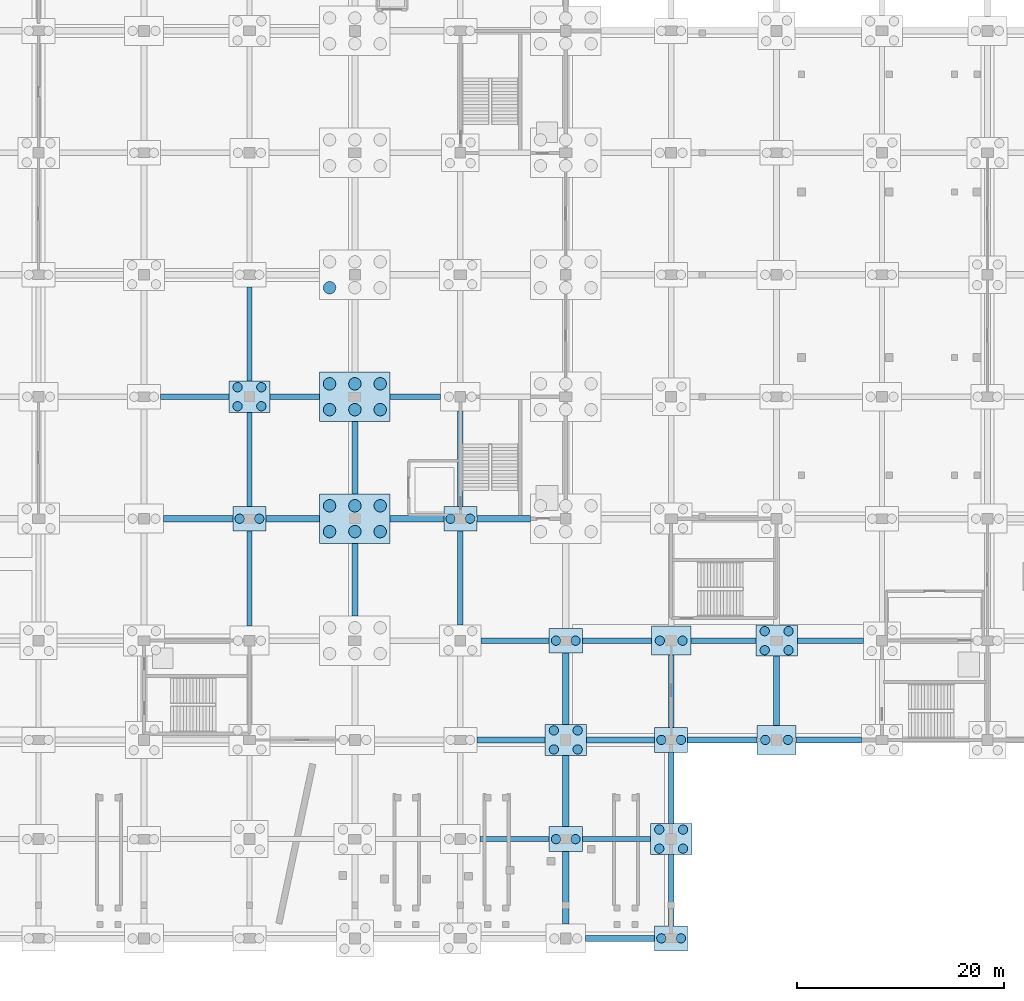
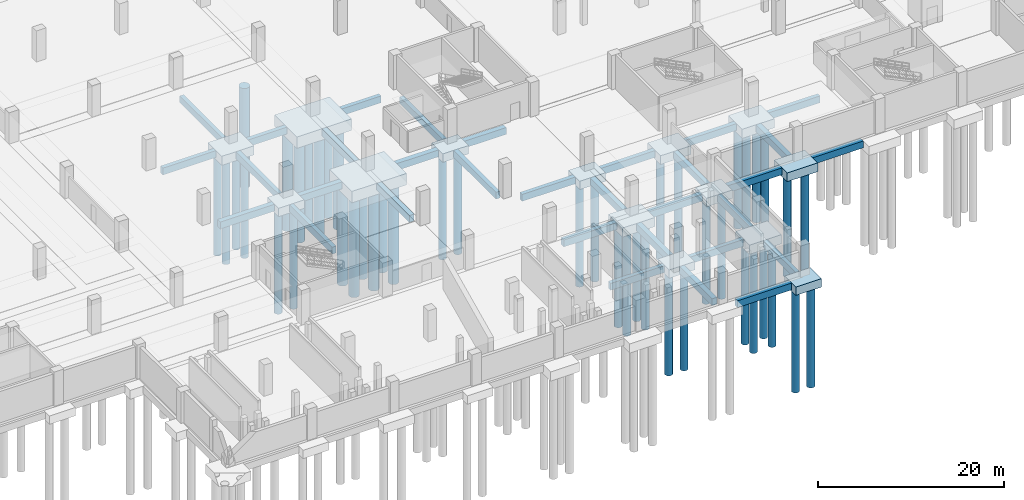
# One storey, part 11 of 52: 46 footings, 45 piles.
"""IFC4 building model written with IfcOpenShell, lengths in metres."""

from ifc_helpers import new_model, si_unit, direction, frame, origin, origin_2d, place, context, subcontext, project, spatial, polyline, rectangle, circle, outline, extrude, material, material_profile, profile_set, type_object, element, save


model = new_model("IFC4")

# Units and contexts
model_context = context("Model", 3, precision=1e-05, world=origin(), true_north=direction((0.0, 1.0)))
body_context = subcontext(model_context, "Body", "Model", "MODEL_VIEW")
ifc_project = project(units=[si_unit("LENGTHUNIT", "METRE"), si_unit("AREAUNIT", "SQUARE_METRE"), si_unit("VOLUMEUNIT", "CUBIC_METRE"), si_unit("PLANEANGLEUNIT", "RADIAN"), si_unit("MASSUNIT", "GRAM", prefix="KILO")], contexts=[model_context])

# Site, building, storey
site_placement = place(None, origin())
site = spatial("IfcSite", under=ifc_project, at=site_placement, CompositionType="ELEMENT")
building_placement = place(site_placement, origin())
building = spatial("IfcBuilding", under=site, at=building_placement, Name="Brelvane Convention Centre", CompositionType="ELEMENT")
storey_placement = place(building_placement, frame((0.0, 0.0, -4.5)))
storey = spatial("IfcBuildingStorey", under=building, at=storey_placement, Name="B1", CompositionType="ELEMENT", Elevation=-4.5)

# Piles
ifc_material_1 = material(Name="Concrete M40", Category="concrete")
ifc_material_profile_1 = material_profile(ifc_material_1, circle(Radius=0.60009765625, at=origin_2d()), Name="PILE D1200")
ifc_profile_set_1 = profile_set([ifc_material_profile_1], Name="Concrete M40")
pile_type_1 = type_object("IfcPileType", Name="Bored Pile PL-1200", PredefinedType="BORED", material=ifc_profile_set_1)
for number, where, z_axis, x_axis, name in (
    (1, (140.35009765625, 39.35009765625, -1.85009765625), (0.0, 0.0, -1.0), (1.0, 0.0, 0.0), "Bored Pile PL-1200 15-E-1"),
    (2, (142.800048828125, 39.35009765625, -1.85009765625), (0.0, 0.0, -1.0), (1.0, 0.0, 0.0), "Bored Pile PL-1200 15-E-2"),
    (3, (145.25, 39.35009765625, -1.85009765625), (0.0, 0.0, -1.0), (1.0, 0.0, 0.0), "Bored Pile PL-1200 15-E-3"),
    (4, (140.35009765625, 41.85009765625, -1.85009765625), (0.0, 0.0, -1.0), (1.0, 0.0, 0.0), "Bored Pile PL-1200 15-E-4"),
    (5, (142.800048828125, 41.85009765625, -1.85009765625), (0.0, 0.0, -1.0), (1.0, 0.0, 0.0), "Bored Pile PL-1200 15-E-5"),
    (6, (145.25, 41.85009765625, -1.85009765625), (0.0, 0.0, -1.0), (1.0, 0.0, 0.0), "Bored Pile PL-1200 15-E-6"),
    (7, (140.35009765625, 51.14990234375, -1.85009765625), (0.0, 0.0, -1.0), (1.0, 0.0, 0.0), "Bored Pile PL-1200 15-F-1"),
    (8, (142.800048828125, 51.14990234375, -1.85009765625), (0.0, 0.0, -1.0), (1.0, 0.0, 0.0), "Bored Pile PL-1200 15-F-2"),
    (9, (145.25, 51.14990234375, -1.85009765625), (0.0, 0.0, -1.0), (1.0, 0.0, 0.0), "Bored Pile PL-1200 15-F-3"),
    (10, (140.35009765625, 53.64990234375, -1.85009765625), (0.0, 0.0, -1.0), (1.0, 0.0, 0.0), "Bored Pile PL-1200 15-F-4"),
    (11, (142.800048828125, 53.64990234375, -1.85009765625), (0.0, 0.0, -1.0), (1.0, 0.0, 0.0), "Bored Pile PL-1200 15-F-5"),
    (12, (145.25, 53.64990234375, -1.85009765625), (0.0, 0.0, -1.0), (1.0, 0.0, 0.0), "Bored Pile PL-1200 15-F-6"),
    (13, (140.35009765625, 62.949951171875, -1.85009765625), (0.0, 0.0, -1.0), (1.0, 0.0, 0.0), "Bored Pile PL-1200 15-G-1"),
):
    element("IfcPile", number, at=place(storey_placement, frame(where, z_axis=z_axis, x_axis=x_axis)), inside=storey, type_object=pile_type_1, Name=name, PredefinedType="BORED", context=body_context, shape_type="SweptSolid", body=[
        extrude(circle(Radius=0.60009765625, at=origin_2d()), origin(), (0.0, 0.0, 1.0), 13.14990234375),
    ])
ifc_material_2 = material(Name="Concrete M40", Category="concrete")
ifc_material_profile_2 = material_profile(ifc_material_2, circle(Radius=0.449951171875, at=origin_2d()), Name="PILE D900")
ifc_profile_set_2 = profile_set([ifc_material_profile_2], Name="Concrete M40")
pile_type_2 = type_object("IfcPileType", Name="Bored Pile PL-900", PredefinedType="BORED", material=ifc_profile_set_2)
for number, where, z_axis, x_axis, name in (
    (14, (131.64990234375, 40.60009765625, -1.449951171875), (0.0, 0.0, -1.0), (1.0, 0.0, 0.0), "Bored Pile PL-900 14-E-1"),
    (15, (133.550048828125, 40.60009765625, -1.449951171875), (0.0, 0.0, -1.0), (1.0, 0.0, 0.0), "Bored Pile PL-900 14-E-2"),
):
    element("IfcPile", number, at=place(storey_placement, frame(where, z_axis=z_axis, x_axis=x_axis)), inside=storey, type_object=pile_type_2, Name=name, PredefinedType="BORED", context=body_context, shape_type="SweptSolid", body=[
        extrude(circle(Radius=0.449951171875, at=origin_2d()), origin(), (0.0, 0.0, 1.0), 13.550048828125),
    ])
for number, where, z_axis, x_axis, name in (
    (16, (131.449951171875, 51.47998046875, -1.550048828125), (0.0, 0.0, -1.0), (1.0, 0.0, 0.0), "Bored Pile PL-900 14-F-1"),
    (17, (133.75, 51.47998046875, -1.550048828125), (0.0, 0.0, -1.0), (1.0, 0.0, 0.0), "Bored Pile PL-900 14-F-2"),
    (18, (131.449951171875, 53.320068359375, -1.550048828125), (0.0, 0.0, -1.0), (1.0, 0.0, 0.0), "Bored Pile PL-900 14-F-3"),
    (19, (133.75, 53.320068359375, -1.550048828125), (0.0, 0.0, -1.0), (1.0, 0.0, 0.0), "Bored Pile PL-900 14-F-4"),
):
    element("IfcPile", number, at=place(storey_placement, frame(where, z_axis=z_axis, x_axis=x_axis)), inside=storey, type_object=pile_type_2, Name=name, PredefinedType="BORED", context=body_context, shape_type="SweptSolid", body=[
        extrude(circle(Radius=0.449951171875, at=origin_2d()), origin(), (0.0, 0.0, 1.0), 13.449951171875),
    ])
for number, where, z_axis, x_axis, name in (
    (20, (152.050048828125, 40.60009765625, -1.449951171875), (0.0, 0.0, -1.0), (1.0, 0.0, 0.0), "Bored Pile PL-900 16-E-1"),
    (21, (153.949951171875, 40.60009765625, -1.449951171875), (0.0, 0.0, -1.0), (1.0, 0.0, 0.0), "Bored Pile PL-900 16-E-2"),
    (22, (162.25, 9.60009765625, -1.449951171875), (0.0, 0.0, -1.0), (1.0, 0.0, 0.0), "Bored Pile PL-900 17-B-1"),
    (23, (164.14990234375, 9.60009765625, -1.449951171875), (0.0, 0.0, -1.0), (1.0, 0.0, 0.0), "Bored Pile PL-900 17-B-2"),
):
    element("IfcPile", number, at=place(storey_placement, frame(where, z_axis=z_axis, x_axis=x_axis)), inside=storey, type_object=pile_type_2, Name=name, PredefinedType="BORED", context=body_context, shape_type="SweptSolid", body=[
        extrude(circle(Radius=0.449951171875, at=origin_2d()), origin(), (0.0, 0.0, 1.0), 13.550048828125),
    ])
for number, where, z_axis, x_axis, name in (
    (24, (162.050048828125, 18.280029296875, -1.550048828125), (0.0, 0.0, -1.0), (1.0, 0.0, 0.0), "Bored Pile PL-900 17-C-1"),
    (25, (164.35009765625, 18.280029296875, -1.550048828125), (0.0, 0.0, -1.0), (1.0, 0.0, 0.0), "Bored Pile PL-900 17-C-2"),
    (26, (162.050048828125, 20.1201171875, -1.550048828125), (0.0, 0.0, -1.0), (1.0, 0.0, 0.0), "Bored Pile PL-900 17-C-3"),
    (27, (164.35009765625, 20.1201171875, -1.550048828125), (0.0, 0.0, -1.0), (1.0, 0.0, 0.0), "Bored Pile PL-900 17-C-4"),
):
    element("IfcPile", number, at=place(storey_placement, frame(where, z_axis=z_axis, x_axis=x_axis)), inside=storey, type_object=pile_type_2, Name=name, PredefinedType="BORED", context=body_context, shape_type="SweptSolid", body=[
        extrude(circle(Radius=0.449951171875, at=origin_2d()), origin(), (0.0, 0.0, 1.0), 13.449951171875),
    ])
for number, where, z_axis, x_axis, name in (
    (28, (162.25, 28.800048828125, -1.449951171875), (0.0, 0.0, -1.0), (1.0, 0.0, 0.0), "Bored Pile PL-900 17-D-1"),
    (29, (164.14990234375, 28.800048828125, -1.449951171875), (0.0, 0.0, -1.0), (1.0, 0.0, 0.0), "Bored Pile PL-900 17-D-2"),
    (30, (172.449951171875, 0.0, -1.449951171875), (0.0, 0.0, -1.0), (1.0, 0.0, 0.0), "Bored Pile PL-900 18-A-1"),
    (31, (174.35009765625, 0.0, -1.449951171875), (0.0, 0.0, -1.0), (1.0, 0.0, 0.0), "Bored Pile PL-900 18-A-2"),
):
    element("IfcPile", number, at=place(storey_placement, frame(where, z_axis=z_axis, x_axis=x_axis)), inside=storey, type_object=pile_type_2, Name=name, PredefinedType="BORED", context=body_context, shape_type="SweptSolid", body=[
        extrude(circle(Radius=0.449951171875, at=origin_2d()), origin(), (0.0, 0.0, 1.0), 13.550048828125),
    ])
for number, where, z_axis, x_axis, name in (
    (32, (172.25, 8.679931640625, -1.550048828125), (0.0, 0.0, -1.0), (1.0, 0.0, 0.0), "Bored Pile PL-900 18-B-1"),
    (33, (174.550048828125, 8.679931640625, -1.550048828125), (0.0, 0.0, -1.0), (1.0, 0.0, 0.0), "Bored Pile PL-900 18-B-2"),
    (34, (172.25, 10.52001953125, -1.550048828125), (0.0, 0.0, -1.0), (1.0, 0.0, 0.0), "Bored Pile PL-900 18-B-3"),
    (35, (174.550048828125, 10.52001953125, -1.550048828125), (0.0, 0.0, -1.0), (1.0, 0.0, 0.0), "Bored Pile PL-900 18-B-4"),
):
    element("IfcPile", number, at=place(storey_placement, frame(where, z_axis=z_axis, x_axis=x_axis)), inside=storey, type_object=pile_type_2, Name=name, PredefinedType="BORED", context=body_context, shape_type="SweptSolid", body=[
        extrude(circle(Radius=0.449951171875, at=origin_2d()), origin(), (0.0, 0.0, 1.0), 13.449951171875),
    ])
for number, where, z_axis, x_axis, name in (
    (36, (172.449951171875, 19.199951171875, -1.449951171875), (0.0, 0.0, -1.0), (1.0, 0.0, 0.0), "Bored Pile PL-900 18-C-1"),
    (37, (174.35009765625, 19.199951171875, -1.449951171875), (0.0, 0.0, -1.0), (1.0, 0.0, 0.0), "Bored Pile PL-900 18-C-2"),
):
    element("IfcPile", number, at=place(storey_placement, frame(where, z_axis=z_axis, x_axis=x_axis)), inside=storey, type_object=pile_type_2, Name=name, PredefinedType="BORED", context=body_context, shape_type="SweptSolid", body=[
        extrude(circle(Radius=0.449951171875, at=origin_2d()), origin(), (0.0, 0.0, 1.0), 13.550048828125),
    ])
for number, where, z_axis, x_axis, name in (
    (38, (172.300048828125, 28.800048828125, -1.5), (0.0, 0.0, -1.0), (1.0, 0.0, 0.0), "Bored Pile PL-900 18-D-1"),
    (39, (174.5, 28.800048828125, -1.5), (0.0, 0.0, -1.0), (1.0, 0.0, 0.0), "Bored Pile PL-900 18-D-2"),
    (40, (182.5, 19.199951171875, -1.5), (0.0, 0.0, -1.0), (1.0, 0.0, 0.0), "Bored Pile PL-900 19-C-1"),
    (41, (184.699951171875, 19.199951171875, -1.5), (0.0, 0.0, -1.0), (1.0, 0.0, 0.0), "Bored Pile PL-900 19-C-2"),
):
    element("IfcPile", number, at=place(storey_placement, frame(where, z_axis=z_axis, x_axis=x_axis)), inside=storey, type_object=pile_type_2, Name=name, PredefinedType="BORED", context=body_context, shape_type="SweptSolid", body=[
        extrude(circle(Radius=0.449951171875, at=origin_2d()), origin(), (0.0, 0.0, 1.0), 13.5),
    ])
for number, where, z_axis, x_axis, name in (
    (42, (182.449951171875, 27.8798828125, -1.550048828125), (0.0, 0.0, -1.0), (1.0, 0.0, 0.0), "Bored Pile PL-900 19-D-1"),
    (43, (184.75, 27.8798828125, -1.550048828125), (0.0, 0.0, -1.0), (1.0, 0.0, 0.0), "Bored Pile PL-900 19-D-2"),
    (44, (182.449951171875, 29.719970703125, -1.550048828125), (0.0, 0.0, -1.0), (1.0, 0.0, 0.0), "Bored Pile PL-900 19-D-3"),
    (45, (184.75, 29.719970703125, -1.550048828125), (0.0, 0.0, -1.0), (1.0, 0.0, 0.0), "Bored Pile PL-900 19-D-4"),
):
    element("IfcPile", number, at=place(storey_placement, frame(where, z_axis=z_axis, x_axis=x_axis)), inside=storey, type_object=pile_type_2, Name=name, PredefinedType="BORED", context=body_context, shape_type="SweptSolid", body=[
        extrude(circle(Radius=0.449951171875, at=origin_2d()), origin(), (0.0, 0.0, 1.0), 13.449951171875),
    ])

# Footings
ifc_material_3 = material(Name="Concrete M40", Category="concrete")
ifc_material_profile_3 = material_profile(ifc_material_3, rectangle(XDim=0.60009765625, YDim=0.89990234375, at=origin_2d()), Name="RC 600x900")
ifc_profile_set_3 = profile_set([ifc_material_profile_3], Name="Concrete M40")
footing_type_1 = type_object("IfcFootingType", Name="Ground Tie Beam GB-1", PredefinedType="FOOTING_BEAM", material=ifc_profile_set_3)
footing_1_placement = place(storey_placement, frame((124.300048828125, 40.60009765625, -0.89990234375), z_axis=(1.0, 0.0, 0.0), x_axis=(0.0, 1.0, 0.0)))
element("IfcFooting", 46, at=footing_1_placement, inside=storey, type_object=footing_type_1, Name="Ground Tie Beam GB-1 13-14/E", PredefinedType="FOOTING_BEAM", context=body_context, shape_type="SweptSolid", body=[
    extrude(rectangle(XDim=0.60009765625, YDim=0.89990234375, at=origin_2d()), origin(), (0.0, 0.0, 1.0), 6.699951171875),
])
footing_2_placement = place(storey_placement, frame((134.199951171875, 40.60009765625, -0.89990234375), z_axis=(1.0, 0.0, 0.0), x_axis=(0.0, 1.0, 0.0)))
element("IfcFooting", 47, at=footing_2_placement, inside=storey, type_object=footing_type_1, Name="Ground Tie Beam GB-1 14-15/E", PredefinedType="FOOTING_BEAM", context=body_context, shape_type="SweptSolid", body=[
    extrude(rectangle(XDim=0.60009765625, YDim=0.89990234375, at=origin_2d()), origin(), (0.0, 0.0, 1.0), 5.199951171875),
])
footing_3_placement = place(storey_placement, frame((142.800048828125, 31.199951171875, -0.89990234375), z_axis=(0.0, 1.0, 0.0), x_axis=(-1.0, 0.0, 0.0)))
element("IfcFooting", 48, at=footing_3_placement, inside=storey, type_object=footing_type_1, Name="Ground Tie Beam GB-1 15/D-E", PredefinedType="FOOTING_BEAM", context=body_context, shape_type="SweptSolid", body=[
    extrude(rectangle(XDim=0.60009765625, YDim=0.89990234375, at=origin_2d()), origin(), (0.0, 0.0, 1.0), 7.0),
])
footing_4_placement = place(storey_placement, frame((146.199951171875, 40.60009765625, -0.89990234375), z_axis=(1.0, 0.0, 0.0), x_axis=(0.0, 1.0, 0.0)))
element("IfcFooting", 49, at=footing_4_placement, inside=storey, type_object=footing_type_1, Name="Ground Tie Beam GB-1 15-16/E", PredefinedType="FOOTING_BEAM", context=body_context, shape_type="SweptSolid", body=[
    extrude(rectangle(XDim=0.60009765625, YDim=0.89990234375, at=origin_2d()), origin(), (0.0, 0.0, 1.0), 5.199951171875),
])
footing_5_placement = place(storey_placement, frame((142.800048828125, 43.0, -0.89990234375), z_axis=(0.0, 1.0, 0.0), x_axis=(-1.0, 0.0, 0.0)))
element("IfcFooting", 50, at=footing_5_placement, inside=storey, type_object=footing_type_1, Name="Ground Tie Beam GB-1 15/E-F", PredefinedType="FOOTING_BEAM", context=body_context, shape_type="SweptSolid", body=[
    extrude(rectangle(XDim=0.60009765625, YDim=0.89990234375, at=origin_2d()), origin(), (0.0, 0.0, 1.0), 7.0),
])
footing_6_placement = place(storey_placement, frame((154.60009765625, 19.199951171875, -0.89990234375), z_axis=(1.0, 0.0, 0.0), x_axis=(0.0, 1.0, 0.0)))
element("IfcFooting", 51, at=footing_6_placement, inside=storey, type_object=footing_type_1, Name="Ground Tie Beam GB-1 16-17/C", PredefinedType="FOOTING_BEAM", context=body_context, shape_type="SweptSolid", body=[
    extrude(rectangle(XDim=0.60009765625, YDim=0.89990234375, at=origin_2d()), origin(), (0.0, 0.0, 1.0), 6.599853515625),
])
footing_7_placement = place(storey_placement, frame((154.60009765625, 40.60009765625, -0.89990234375), z_axis=(1.0, 0.0, 0.0), x_axis=(0.0, 1.0, 0.0)))
element("IfcFooting", 52, at=footing_7_placement, inside=storey, type_object=footing_type_1, Name="Ground Tie Beam GB-1 16-17/E", PredefinedType="FOOTING_BEAM", context=body_context, shape_type="SweptSolid", body=[
    extrude(rectangle(XDim=0.60009765625, YDim=0.89990234375, at=origin_2d()), origin(), (0.0, 0.0, 1.0), 5.199951171875),
])
footing_8_placement = place(storey_placement, frame((165.10009765625, 0.0, -0.89990234375), z_axis=(1.0, 0.0, 0.0), x_axis=(0.0, 1.0, 0.0)))
element("IfcFooting", 53, at=footing_8_placement, inside=storey, type_object=footing_type_1, Name="Ground Tie Beam GB-1 17-18/A", PredefinedType="FOOTING_BEAM", context=body_context, shape_type="SweptSolid", body=[
    extrude(rectangle(XDim=0.60009765625, YDim=0.89990234375, at=origin_2d()), origin(), (0.0, 0.0, 1.0), 6.699951171875),
])
footing_9_placement = place(storey_placement, frame((163.199951171875, 1.39990234375, -0.89990234375), z_axis=(0.0, 1.0, 0.0), x_axis=(-1.0, 0.0, 0.0)))
element("IfcFooting", 54, at=footing_9_placement, inside=storey, type_object=footing_type_1, Name="Ground Tie Beam GB-1 17/A-B", PredefinedType="FOOTING_BEAM", context=body_context, shape_type="SweptSolid", body=[
    extrude(rectangle(XDim=0.60009765625, YDim=0.89990234375, at=origin_2d()), origin(), (0.0, 0.0, 1.0), 7.0),
])
footing_10_placement = place(storey_placement, frame((163.199951171875, 10.800048828125, -0.89990234375), z_axis=(0.0, 1.0, 0.0), x_axis=(-1.0, 0.0, 0.0)))
element("IfcFooting", 55, at=footing_10_placement, inside=storey, type_object=footing_type_1, Name="Ground Tie Beam GB-1 17/B-C", PredefinedType="FOOTING_BEAM", context=body_context, shape_type="SweptSolid", body=[
    extrude(rectangle(XDim=0.60009765625, YDim=0.89990234375, at=origin_2d()), origin(), (0.0, 0.0, 1.0), 6.89990234375),
])
footing_11_placement = place(storey_placement, frame((165.199951171875, 19.199951171875, -0.89990234375), z_axis=(1.0, 0.0, 0.0), x_axis=(0.0, 1.0, 0.0)))
element("IfcFooting", 56, at=footing_11_placement, inside=storey, type_object=footing_type_1, Name="Ground Tie Beam GB-1 17-18/C", PredefinedType="FOOTING_BEAM", context=body_context, shape_type="SweptSolid", body=[
    extrude(rectangle(XDim=0.60009765625, YDim=0.89990234375, at=origin_2d()), origin(), (0.0, 0.0, 1.0), 6.60009765625),
])
footing_12_placement = place(storey_placement, frame((163.199951171875, 20.699951171875, -0.89990234375), z_axis=(0.0, 1.0, 0.0), x_axis=(-1.0, 0.0, 0.0)))
element("IfcFooting", 57, at=footing_12_placement, inside=storey, type_object=footing_type_1, Name="Ground Tie Beam GB-1 17/C-D", PredefinedType="FOOTING_BEAM", context=body_context, shape_type="SweptSolid", body=[
    extrude(rectangle(XDim=0.60009765625, YDim=0.89990234375, at=origin_2d()), origin(), (0.0, 0.0, 1.0), 6.900146484375),
])
footing_13_placement = place(storey_placement, frame((175.0, 19.199951171875, -0.89990234375), z_axis=(1.0, 0.0, 0.0), x_axis=(0.0, 1.0, 0.0)))
element("IfcFooting", 58, at=footing_13_placement, inside=storey, type_object=footing_type_1, Name="Ground Tie Beam GB-1 18-19/C", PredefinedType="FOOTING_BEAM", context=body_context, shape_type="SweptSolid", body=[
    extrude(rectangle(XDim=0.60009765625, YDim=0.89990234375, at=origin_2d()), origin(), (0.0, 0.0, 1.0), 6.699951171875),
])
footing_14_placement = place(storey_placement, frame((185.5, 19.199951171875, -0.89990234375), z_axis=(1.0, 0.0, 0.0), x_axis=(0.0, 1.0, 0.0)))
element("IfcFooting", 59, at=footing_14_placement, inside=storey, type_object=footing_type_1, Name="Ground Tie Beam GB-1 19-20/C", PredefinedType="FOOTING_BEAM", context=body_context, shape_type="SweptSolid", body=[
    extrude(rectangle(XDim=0.60009765625, YDim=0.89990234375, at=origin_2d()), origin(), (0.0, 0.0, 1.0), 6.300048828125),
])
footing_15_placement = place(storey_placement, frame((183.60009765625, 20.60009765625, -0.89990234375), z_axis=(0.0, 1.0, 0.0), x_axis=(-1.0, 0.0, 0.0)))
element("IfcFooting", 60, at=footing_15_placement, inside=storey, type_object=footing_type_1, Name="Ground Tie Beam GB-1 19/C-D", PredefinedType="FOOTING_BEAM", context=body_context, shape_type="SweptSolid", body=[
    extrude(rectangle(XDim=0.60009765625, YDim=0.89990234375, at=origin_2d()), origin(), (0.0, 0.0, 1.0), 6.699951171875),
])
ifc_material_4 = material(Name="Concrete M40", Category="concrete")
ifc_material_profile_4 = material_profile(ifc_material_4, rectangle(XDim=0.5, YDim=0.89990234375, at=origin_2d()), Name="RC 500x900")
ifc_profile_set_4 = profile_set([ifc_material_profile_4], Name="Concrete M40")
footing_type_2 = type_object("IfcFootingType", Name="Ground Tie Beam GB-2", PredefinedType="FOOTING_BEAM", material=ifc_profile_set_4)
footing_16_placement = place(storey_placement, frame((124.0, 52.39990234375, -0.89990234375), z_axis=(1.0, 0.0, 0.0), x_axis=(0.0, 1.0, 0.0)))
element("IfcFooting", 61, at=footing_16_placement, inside=storey, type_object=footing_type_2, Name="Ground Tie Beam GB-2 13-14/F", PredefinedType="FOOTING_BEAM", context=body_context, shape_type="SweptSolid", body=[
    extrude(rectangle(XDim=0.5, YDim=0.89990234375, at=origin_2d()), origin(), (0.0, 0.0, 1.0), 6.60009765625),
])
footing_17_placement = place(storey_placement, frame((132.60009765625, 30.199951171875, -0.89990234375), z_axis=(0.0, 1.0, 0.0), x_axis=(-1.0, 0.0, 0.0)))
element("IfcFooting", 62, at=footing_17_placement, inside=storey, type_object=footing_type_2, Name="Ground Tie Beam GB-2 14/D-E", PredefinedType="FOOTING_BEAM", context=body_context, shape_type="SweptSolid", body=[
    extrude(rectangle(XDim=0.5, YDim=0.89990234375, at=origin_2d()), origin(), (0.0, 0.0, 1.0), 9.199951171875),
])
footing_18_placement = place(storey_placement, frame((132.60009765625, 41.800048828125, -0.89990234375), z_axis=(0.0, 1.0, 0.0), x_axis=(-1.0, 0.0, 0.0)))
element("IfcFooting", 63, at=footing_18_placement, inside=storey, type_object=footing_type_2, Name="Ground Tie Beam GB-2 14/E-F", PredefinedType="FOOTING_BEAM", context=body_context, shape_type="SweptSolid", body=[
    extrude(rectangle(XDim=0.5, YDim=0.89990234375, at=origin_2d()), origin(), (0.0, 0.0, 1.0), 9.099853515625),
])
footing_19_placement = place(storey_placement, frame((134.60009765625, 52.39990234375, -0.89990234375), z_axis=(1.0, 0.0, 0.0), x_axis=(0.0, 1.0, 0.0)))
element("IfcFooting", 64, at=footing_19_placement, inside=storey, type_object=footing_type_2, Name="Ground Tie Beam GB-2 14-15/F", PredefinedType="FOOTING_BEAM", context=body_context, shape_type="SweptSolid", body=[
    extrude(rectangle(XDim=0.5, YDim=0.89990234375, at=origin_2d()), origin(), (0.0, 0.0, 1.0), 4.7998046875),
])
footing_20_placement = place(storey_placement, frame((132.60009765625, 53.89990234375, -0.89990234375), z_axis=(0.0, 1.0, 0.0), x_axis=(-1.0, 0.0, 0.0)))
element("IfcFooting", 65, at=footing_20_placement, inside=storey, type_object=footing_type_2, Name="Ground Tie Beam GB-2 14/F-G", PredefinedType="FOOTING_BEAM", context=body_context, shape_type="SweptSolid", body=[
    extrude(rectangle(XDim=0.5, YDim=0.89990234375, at=origin_2d()), origin(), (0.0, 0.0, 1.0), 9.10009765625),
])
footing_21_placement = place(storey_placement, frame((146.199951171875, 52.39990234375, -0.89990234375), z_axis=(1.0, 0.0, 0.0), x_axis=(0.0, 1.0, 0.0)))
element("IfcFooting", 66, at=footing_21_placement, inside=storey, type_object=footing_type_2, Name="Ground Tie Beam GB-2 15-16/F", PredefinedType="FOOTING_BEAM", context=body_context, shape_type="SweptSolid", body=[
    extrude(rectangle(XDim=0.5, YDim=0.89990234375, at=origin_2d()), origin(), (0.0, 0.0, 1.0), 4.900146484375),
])
footing_22_placement = place(storey_placement, frame((154.89990234375, 9.60009765625, -0.89990234375), z_axis=(1.0, 0.0, 0.0), x_axis=(0.0, 1.0, 0.0)))
element("IfcFooting", 67, at=footing_22_placement, inside=storey, type_object=footing_type_2, Name="Ground Tie Beam GB-2 16-17/B", PredefinedType="FOOTING_BEAM", context=body_context, shape_type="SweptSolid", body=[
    extrude(rectangle(XDim=0.5, YDim=0.89990234375, at=origin_2d()), origin(), (0.0, 0.0, 1.0), 6.7001953125),
])
footing_23_placement = place(storey_placement, frame((155.0, 28.800048828125, -0.89990234375), z_axis=(1.0, 0.0, 0.0), x_axis=(0.0, 1.0, 0.0)))
element("IfcFooting", 68, at=footing_23_placement, inside=storey, type_object=footing_type_2, Name="Ground Tie Beam GB-2 16-17/D", PredefinedType="FOOTING_BEAM", context=body_context, shape_type="SweptSolid", body=[
    extrude(rectangle(XDim=0.5, YDim=0.89990234375, at=origin_2d()), origin(), (0.0, 0.0, 1.0), 6.60009765625),
])
footing_24_placement = place(storey_placement, frame((153.0, 30.300048828125, -0.89990234375), z_axis=(0.0, 1.0, 0.0), x_axis=(-1.0, 0.0, 0.0)))
element("IfcFooting", 69, at=footing_24_placement, inside=storey, type_object=footing_type_2, Name="Ground Tie Beam GB-2 16/D-E", PredefinedType="FOOTING_BEAM", context=body_context, shape_type="SweptSolid", body=[
    extrude(rectangle(XDim=0.5, YDim=0.89990234375, at=origin_2d()), origin(), (0.0, 0.0, 1.0), 9.099853515625),
])
footing_25_placement = place(storey_placement, frame((153.0, 41.800048828125, -0.89990234375), z_axis=(0.0, 1.0, 0.0), x_axis=(-1.0, 0.0, 0.0)))
element("IfcFooting", 70, at=footing_25_placement, inside=storey, type_object=footing_type_2, Name="Ground Tie Beam GB-2 16/E-F", PredefinedType="FOOTING_BEAM", context=body_context, shape_type="SweptSolid", body=[
    extrude(rectangle(XDim=0.5, YDim=0.89990234375, at=origin_2d()), origin(), (0.0, 0.0, 1.0), 9.199951171875),
])
footing_26_placement = place(storey_placement, frame((164.800048828125, 9.60009765625, -0.89990234375), z_axis=(1.0, 0.0, 0.0), x_axis=(0.0, 1.0, 0.0)))
element("IfcFooting", 71, at=footing_26_placement, inside=storey, type_object=footing_type_2, Name="Ground Tie Beam GB-2 17-18/B", PredefinedType="FOOTING_BEAM", context=body_context, shape_type="SweptSolid", body=[
    extrude(rectangle(XDim=0.5, YDim=0.89990234375, at=origin_2d()), origin(), (0.0, 0.0, 1.0), 6.599853515625),
])
footing_27_placement = place(storey_placement, frame((164.800048828125, 28.800048828125, -0.89990234375), z_axis=(1.0, 0.0, 0.0), x_axis=(0.0, 1.0, 0.0)))
element("IfcFooting", 72, at=footing_27_placement, inside=storey, type_object=footing_type_2, Name="Ground Tie Beam GB-2 17-18/D", PredefinedType="FOOTING_BEAM", context=body_context, shape_type="SweptSolid", body=[
    extrude(rectangle(XDim=0.5, YDim=0.89990234375, at=origin_2d()), origin(), (0.0, 0.0, 1.0), 6.699951171875),
])
footing_28_placement = place(storey_placement, frame((173.39990234375, 1.199951171875, -0.89990234375), z_axis=(0.0, 1.0, 0.0), x_axis=(-1.0, 0.0, 0.0)))
element("IfcFooting", 73, at=footing_28_placement, inside=storey, type_object=footing_type_2, Name="Ground Tie Beam GB-2 18/A-B", PredefinedType="FOOTING_BEAM", context=body_context, shape_type="SweptSolid", body=[
    extrude(rectangle(XDim=0.5, YDim=0.89990234375, at=origin_2d()), origin(), (0.0, 0.0, 1.0), 6.900146484375),
])
footing_29_placement = place(storey_placement, frame((173.39990234375, 11.10009765625, -0.89990234375), z_axis=(0.0, 1.0, 0.0), x_axis=(-1.0, 0.0, 0.0)))
element("IfcFooting", 74, at=footing_29_placement, inside=storey, type_object=footing_type_2, Name="Ground Tie Beam GB-2 18/B-C", PredefinedType="FOOTING_BEAM", context=body_context, shape_type="SweptSolid", body=[
    extrude(rectangle(XDim=0.5, YDim=0.89990234375, at=origin_2d()), origin(), (0.0, 0.0, 1.0), 6.89990234375),
])
footing_30_placement = place(storey_placement, frame((173.39990234375, 20.39990234375, -0.89990234375), z_axis=(0.0, 1.0, 0.0), x_axis=(-1.0, 0.0, 0.0)))
element("IfcFooting", 75, at=footing_30_placement, inside=storey, type_object=footing_type_2, Name="Ground Tie Beam GB-2 18/C-D", PredefinedType="FOOTING_BEAM", context=body_context, shape_type="SweptSolid", body=[
    extrude(rectangle(XDim=0.5, YDim=0.89990234375, at=origin_2d()), origin(), (0.0, 0.0, 1.0), 7.0),
])
footing_31_placement = place(storey_placement, frame((175.300048828125, 28.800048828125, -0.89990234375), z_axis=(1.0, 0.0, 0.0), x_axis=(0.0, 1.0, 0.0)))
element("IfcFooting", 76, at=footing_31_placement, inside=storey, type_object=footing_type_2, Name="Ground Tie Beam GB-2 18-19/D", PredefinedType="FOOTING_BEAM", context=body_context, shape_type="SweptSolid", body=[
    extrude(rectangle(XDim=0.5, YDim=0.89990234375, at=origin_2d()), origin(), (0.0, 0.0, 1.0), 6.300048828125),
])
footing_32_placement = place(storey_placement, frame((185.60009765625, 28.800048828125, -0.89990234375), z_axis=(1.0, 0.0, 0.0), x_axis=(0.0, 1.0, 0.0)))
element("IfcFooting", 77, at=footing_32_placement, inside=storey, type_object=footing_type_2, Name="Ground Tie Beam GB-2 19-20/D", PredefinedType="FOOTING_BEAM", context=body_context, shape_type="SweptSolid", body=[
    extrude(rectangle(XDim=0.5, YDim=0.89990234375, at=origin_2d()), origin(), (0.0, 0.0, 1.0), 6.39990234375),
])
ifc_material_5 = material(Name="Concrete M40", Category="concrete")
footing_type_3 = type_object("IfcFootingType", Name="Pile Cap PC-2", PredefinedType="PILE_CAP", material=ifc_material_5)
footing_33_placement = place(storey_placement, frame((0.0, 0.0, -1.550048828125)))
element("IfcFooting", 78, at=footing_33_placement, inside=storey, type_object=footing_type_3, Name="Pile Cap PC-2 at 14-E", PredefinedType="PILE_CAP", context=body_context, shape_type="SweptSolid", body=[
    extrude(outline(polyline([(131.0, 39.39990234375), (134.199951171875, 39.39990234375), (134.199951171875, 41.800048828125), (131.0, 41.800048828125), (131.0, 39.39990234375)])), origin(), (0.0, 0.0, 1.0), 1.10009765625),
])
footing_34_placement = place(storey_placement, frame((0.0, 0.0, -1.550048828125)))
element("IfcFooting", 79, at=footing_34_placement, inside=storey, type_object=footing_type_3, Name="Pile Cap PC-2 at 16-E", PredefinedType="PILE_CAP", context=body_context, shape_type="SweptSolid", body=[
    extrude(outline(polyline([(151.39990234375, 39.39990234375), (154.60009765625, 39.39990234375), (154.60009765625, 41.800048828125), (151.39990234375, 41.800048828125), (151.39990234375, 39.39990234375)])), origin(), (0.0, 0.0, 1.0), 1.10009765625),
])
footing_35_placement = place(storey_placement, frame((0.0, 0.0, -1.550048828125)))
element("IfcFooting", 80, at=footing_35_placement, inside=storey, type_object=footing_type_3, Name="Pile Cap PC-2 at 17-B", PredefinedType="PILE_CAP", context=body_context, shape_type="SweptSolid", body=[
    extrude(outline(polyline([(161.60009765625, 8.39990234375), (164.800048828125, 8.39990234375), (164.800048828125, 10.800048828125), (161.60009765625, 10.800048828125), (161.60009765625, 8.39990234375)])), origin(), (0.0, 0.0, 1.0), 1.10009765625),
])
footing_36_placement = place(storey_placement, frame((0.0, 0.0, -1.550048828125)))
element("IfcFooting", 81, at=footing_36_placement, inside=storey, type_object=footing_type_3, Name="Pile Cap PC-2 at 17-D", PredefinedType="PILE_CAP", context=body_context, shape_type="SweptSolid", body=[
    extrude(outline(polyline([(161.60009765625, 27.60009765625), (164.800048828125, 27.60009765625), (164.800048828125, 30.0), (161.60009765625, 30.0), (161.60009765625, 27.60009765625)])), origin(), (0.0, 0.0, 1.0), 1.10009765625),
])
footing_37_placement = place(storey_placement, frame((0.0, 0.0, -1.550048828125)))
element("IfcFooting", 82, at=footing_37_placement, inside=storey, type_object=footing_type_3, Name="Pile Cap PC-2 at 18-A", PredefinedType="PILE_CAP", context=body_context, shape_type="SweptSolid", body=[
    extrude(outline(polyline([(171.800048828125, -1.199951171875), (175.0, -1.199951171875), (175.0, 1.199951171875), (171.800048828125, 1.199951171875), (171.800048828125, -1.199951171875)])), origin(), (0.0, 0.0, 1.0), 1.10009765625),
])
footing_38_placement = place(storey_placement, frame((0.0, 0.0, -1.550048828125)))
element("IfcFooting", 83, at=footing_38_placement, inside=storey, type_object=footing_type_3, Name="Pile Cap PC-2 at 18-C", PredefinedType="PILE_CAP", context=body_context, shape_type="SweptSolid", body=[
    extrude(outline(polyline([(171.800048828125, 18.0), (175.0, 18.0), (175.0, 20.39990234375), (171.800048828125, 20.39990234375), (171.800048828125, 18.0)])), origin(), (0.0, 0.0, 1.0), 1.10009765625),
])
ifc_material_6 = material(Name="Concrete M40", Category="concrete")
footing_type_4 = type_object("IfcFootingType", Name="Pile Cap PC-4", PredefinedType="PILE_CAP", material=ifc_material_6)
footing_39_placement = place(storey_placement, frame((0.0, 0.0, -1.64990234375)))
element("IfcFooting", 84, at=footing_39_placement, inside=storey, type_object=footing_type_4, Name="Pile Cap PC-4 at 14-F", PredefinedType="PILE_CAP", context=body_context, shape_type="SweptSolid", body=[
    extrude(outline(polyline([(130.60009765625, 50.89990234375), (134.60009765625, 50.89990234375), (134.60009765625, 53.89990234375), (130.60009765625, 53.89990234375), (130.60009765625, 50.89990234375)])), origin(), (0.0, 0.0, 1.0), 1.199951171875),
])
footing_40_placement = place(storey_placement, frame((0.0, 0.0, -1.64990234375)))
element("IfcFooting", 85, at=footing_40_placement, inside=storey, type_object=footing_type_4, Name="Pile Cap PC-4 at 17-C", PredefinedType="PILE_CAP", context=body_context, shape_type="SweptSolid", body=[
    extrude(outline(polyline([(161.199951171875, 17.699951171875), (165.199951171875, 17.699951171875), (165.199951171875, 20.699951171875), (161.199951171875, 20.699951171875), (161.199951171875, 17.699951171875)])), origin(), (0.0, 0.0, 1.0), 1.199951171875),
])
footing_41_placement = place(storey_placement, frame((0.0, 0.0, -1.64990234375)))
element("IfcFooting", 86, at=footing_41_placement, inside=storey, type_object=footing_type_4, Name="Pile Cap PC-4 at 18-B", PredefinedType="PILE_CAP", context=body_context, shape_type="SweptSolid", body=[
    extrude(outline(polyline([(171.39990234375, 8.10009765625), (175.39990234375, 8.10009765625), (175.39990234375, 11.10009765625), (171.39990234375, 11.10009765625), (171.39990234375, 8.10009765625)])), origin(), (0.0, 0.0, 1.0), 1.199951171875),
])
footing_42_placement = place(storey_placement, frame((0.0, 0.0, -1.64990234375)))
element("IfcFooting", 87, at=footing_42_placement, inside=storey, type_object=footing_type_4, Name="Pile Cap PC-4 at 19-D", PredefinedType="PILE_CAP", context=body_context, shape_type="SweptSolid", body=[
    extrude(outline(polyline([(181.60009765625, 27.300048828125), (185.60009765625, 27.300048828125), (185.60009765625, 30.300048828125), (181.60009765625, 30.300048828125), (181.60009765625, 27.300048828125)])), origin(), (0.0, 0.0, 1.0), 1.199951171875),
])
ifc_material_7 = material(Name="Concrete M40", Category="concrete")
footing_type_5 = type_object("IfcFootingType", Name="Pile Cap PC-8", PredefinedType="PILE_CAP", material=ifc_material_7)
footing_43_placement = place(storey_placement, frame((0.0, 0.0, -1.949951171875)))
element("IfcFooting", 88, at=footing_43_placement, inside=storey, type_object=footing_type_5, Name="Pile Cap PC-8 at 15-E", PredefinedType="PILE_CAP", context=body_context, shape_type="SweptSolid", body=[
    extrude(outline(polyline([(139.39990234375, 38.199951171875), (146.199951171875, 38.199951171875), (146.199951171875, 43.0), (139.39990234375, 43.0), (139.39990234375, 38.199951171875)])), origin(), (0.0, 0.0, 1.0), 1.5),
])
footing_44_placement = place(storey_placement, frame((0.0, 0.0, -1.949951171875)))
element("IfcFooting", 89, at=footing_44_placement, inside=storey, type_object=footing_type_5, Name="Pile Cap PC-8 at 15-F", PredefinedType="PILE_CAP", context=body_context, shape_type="SweptSolid", body=[
    extrude(outline(polyline([(139.39990234375, 50.0), (146.199951171875, 50.0), (146.199951171875, 54.800048828125), (139.39990234375, 54.800048828125), (139.39990234375, 50.0)])), origin(), (0.0, 0.0, 1.0), 1.5),
])
ifc_material_8 = material(Name="Concrete M40", Category="concrete")
footing_type_6 = type_object("IfcFootingType", Name="Pile Cap PC-9", PredefinedType="PILE_CAP", material=ifc_material_8)
footing_45_placement = place(storey_placement, frame((0.0, 0.0, -1.60009765625)))
element("IfcFooting", 90, at=footing_45_placement, inside=storey, type_object=footing_type_6, Name="Pile Cap PC-9 at 18-D", PredefinedType="PILE_CAP", context=body_context, shape_type="SweptSolid", body=[
    extrude(outline(polyline([(171.5, 27.39990234375), (175.300048828125, 27.39990234375), (175.300048828125, 30.199951171875), (171.5, 30.199951171875), (171.5, 27.39990234375)])), origin(), (0.0, 0.0, 1.0), 1.150146484375),
])
footing_46_placement = place(storey_placement, frame((0.0, 0.0, -1.60009765625)))
element("IfcFooting", 91, at=footing_46_placement, inside=storey, type_object=footing_type_6, Name="Pile Cap PC-9 at 19-C", PredefinedType="PILE_CAP", context=body_context, shape_type="SweptSolid", body=[
    extrude(outline(polyline([(181.699951171875, 17.800048828125), (185.5, 17.800048828125), (185.5, 20.60009765625), (181.699951171875, 20.60009765625), (181.699951171875, 17.800048828125)])), origin(), (0.0, 0.0, 1.0), 1.150146484375),
])

save(model, "model.ifc")
